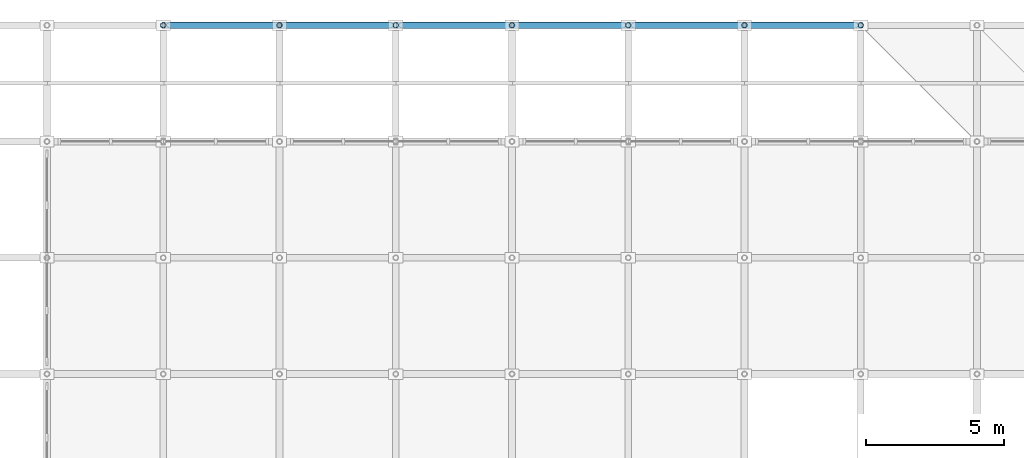
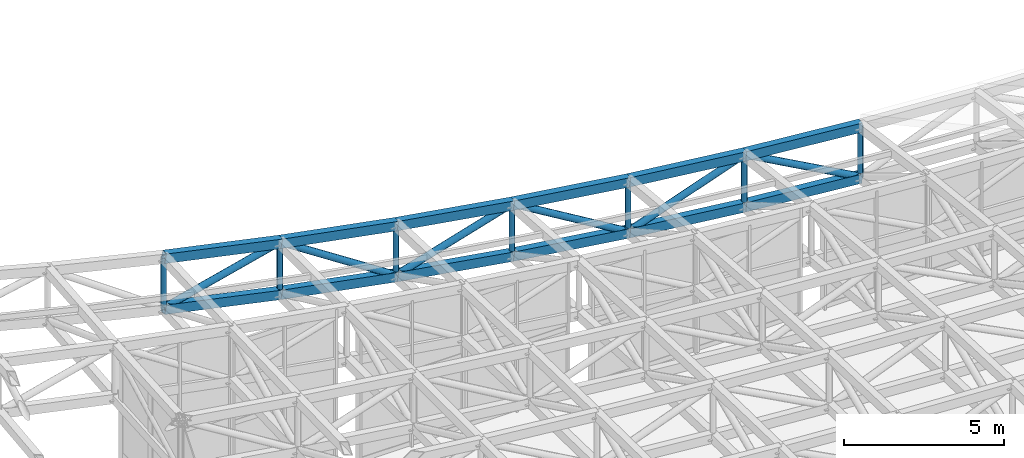
# One storey, part 37 of 111: 25 members.
"""IFC4 building model written with IfcOpenShell, lengths in metres."""

from ifc_helpers import new_model, si_unit, direction, frame, origin, origin_2d, place, context, subcontext, project, spatial, hollow_rectangle, hollow_circle, extrude, material, material_profile, profile_set, type_object, element, save


model = new_model("IFC4")

# Units and contexts
model_context = context("Model", 3, precision=1e-05, world=origin(), true_north=direction((0.0, 1.0)))
body_context = subcontext(model_context, "Body", "Model", "MODEL_VIEW")
ifc_project = project(units=[si_unit("LENGTHUNIT", "METRE"), si_unit("AREAUNIT", "SQUARE_METRE"), si_unit("VOLUMEUNIT", "CUBIC_METRE"), si_unit("PLANEANGLEUNIT", "RADIAN"), si_unit("MASSUNIT", "GRAM", prefix="KILO")], contexts=[model_context])

# Site, building, storey
site_placement = place(None, origin())
site = spatial("IfcSite", under=ifc_project, at=site_placement, CompositionType="ELEMENT")
building_placement = place(site_placement, origin())
building = spatial("IfcBuilding", under=site, at=building_placement, Name="Cumbredor Promenade Congress Hotel", CompositionType="ELEMENT")
storey_placement = place(building_placement, frame((0.0, 0.0, 15.1201171875)))
storey = spatial("IfcBuildingStorey", under=building, at=storey_placement, Name="L04", CompositionType="ELEMENT", Elevation=15.1201171875)

# Members
ifc_material = material(Name="Steel ASTM A500 Grade C", Category="steel")
ifc_material_profile_1 = material_profile(ifc_material, hollow_rectangle(XDim=0.25, YDim=0.35009765625, WallThickness=0.01611328125, at=origin_2d()), Name="HSS 350x250x16")
ifc_profile_set_1 = profile_set([ifc_material_profile_1], Name="Steel ASTM A500 Grade C")
member_type_1 = type_object("IfcMemberType", Name="Forum Roof Truss Chord", PredefinedType="CHORD", material=ifc_profile_set_1)
member_1_placement = place(storey_placement, frame((96.60009765625, 121.800048828125, 6.923828125), z_axis=(0.977922876624, 0.0, -0.208966139305), x_axis=(0.0, 1.0, 0.0)))
element("IfcMember", 1, at=member_1_placement, inside=storey, type_object=member_type_1, Name="Pre-Function and Breakout Meeting Forum X Top Chord 3.11", PredefinedType="CHORD", context=body_context, shape_type="SweptSolid", body=[
    extrude(hollow_rectangle(XDim=0.25, YDim=0.35009765625, WallThickness=0.01611328125, at=origin_2d()), origin(), (0.0, 0.0, 1.0), 4.294677734375),
])
member_2_placement = place(storey_placement, frame((96.60009765625, 121.800048828125, 4.973876953125), z_axis=(0.9779112586, 0.0, -0.209020502114), x_axis=(0.0, 1.0, 0.0)))
element("IfcMember", 2, at=member_2_placement, inside=storey, type_object=member_type_1, Name="Pre-Function and Breakout Meeting Forum X Bottom Chord 3.11", PredefinedType="CHORD", context=body_context, shape_type="SweptSolid", body=[
    extrude(hollow_rectangle(XDim=0.25, YDim=0.35009765625, WallThickness=0.01611328125, at=origin_2d()), origin(), (0.0, 0.0, 1.0), 4.294921875),
])
member_3_placement = place(storey_placement, frame((100.800048828125, 121.800048828125, 6.0263671875), z_axis=(0.982660082825, 0.0, -0.185416184901), x_axis=(0.0, 1.0, 0.0)))
element("IfcMember", 3, at=member_3_placement, inside=storey, type_object=member_type_1, Name="Pre-Function and Breakout Meeting Forum X Top Chord 4.11", PredefinedType="CHORD", context=body_context, shape_type="SweptSolid", body=[
    extrude(hollow_rectangle(XDim=0.25, YDim=0.35009765625, WallThickness=0.01611328125, at=origin_2d()), origin(), (0.0, 0.0, 1.0), 4.274169921875),
])
member_4_placement = place(storey_placement, frame((100.800048828125, 121.800048828125, 4.076171875), z_axis=(0.982670488974, 0.0, -0.185361026375), x_axis=(0.0, 1.0, 0.0)))
element("IfcMember", 4, at=member_4_placement, inside=storey, type_object=member_type_1, Name="Pre-Function and Breakout Meeting Forum X Bottom Chord 4.11", PredefinedType="CHORD", context=body_context, shape_type="SweptSolid", body=[
    extrude(hollow_rectangle(XDim=0.25, YDim=0.35009765625, WallThickness=0.01611328125, at=origin_2d()), origin(), (0.0, 0.0, 1.0), 4.27392578125),
])
for number, where, z_axis, x_axis, name in (
    (5, (105.0, 121.800048828125, 5.23388671875), (0.986884056169, 0.0, -0.161430665236), (0.0, 1.0, 0.0), "Pre-Function and Breakout Meeting Forum X Top Chord 5.11"),
    (6, (105.0, 121.800048828125, 3.283935546875), (0.986884056169, 0.0, -0.161430665236), (0.0, 1.0, 0.0), "Pre-Function and Breakout Meeting Forum X Bottom Chord 5.11"),
):
    element("IfcMember", number, at=place(storey_placement, frame(where, z_axis=z_axis, x_axis=x_axis)), inside=storey, type_object=member_type_1, Name=name, PredefinedType="CHORD", context=body_context, shape_type="SweptSolid", body=[
        extrude(hollow_rectangle(XDim=0.25, YDim=0.35009765625, WallThickness=0.01611328125, at=origin_2d()), origin(), (0.0, 0.0, 1.0), 4.255859375),
    ])
for number, where, z_axis, x_axis, name in (
    (7, (109.199951171875, 121.800048828125, 4.546875), (0.990557326963, 0.0, -0.137099168488), (0.0, 1.0, 0.0), "Pre-Function and Breakout Meeting Forum X Top Chord 6.11"),
    (8, (109.199951171875, 121.800048828125, 2.596923828125), (0.990557326963, 0.0, -0.137099168488), (0.0, 1.0, 0.0), "Pre-Function and Breakout Meeting Forum X Bottom Chord 6.11"),
):
    element("IfcMember", number, at=place(storey_placement, frame(where, z_axis=z_axis, x_axis=x_axis)), inside=storey, type_object=member_type_1, Name=name, PredefinedType="CHORD", context=body_context, shape_type="SweptSolid", body=[
        extrude(hollow_rectangle(XDim=0.25, YDim=0.35009765625, WallThickness=0.01611328125, at=origin_2d()), origin(), (0.0, 0.0, 1.0), 4.239990234375),
    ])
for number, where, z_axis, x_axis, name in (
    (9, (113.39990234375, 121.800048828125, 3.965576171875), (0.993644073338, 0.0, -0.112567559808), (0.0, 1.0, 0.0), "Pre-Function and Breakout Meeting Forum X Top Chord 7.11"),
    (10, (113.39990234375, 121.800048828125, 2.015625), (0.993644073338, 0.0, -0.112567559808), (0.0, 1.0, 0.0), "Pre-Function and Breakout Meeting Forum X Bottom Chord 7.11"),
):
    element("IfcMember", number, at=place(storey_placement, frame(where, z_axis=z_axis, x_axis=x_axis)), inside=storey, type_object=member_type_1, Name=name, PredefinedType="CHORD", context=body_context, shape_type="SweptSolid", body=[
        extrude(hollow_rectangle(XDim=0.25, YDim=0.35009765625, WallThickness=0.01611328125, at=origin_2d()), origin(), (0.0, 0.0, 1.0), 4.22705078125),
    ])
for number, where, z_axis, x_axis, name in (
    (11, (117.60009765625, 121.800048828125, 3.48974609375), (0.996134471083, 0.0, -0.087841422579), (0.0, 1.0, 0.0), "Pre-Function and Breakout Meeting Forum X Top Chord 8.11"),
    (12, (117.60009765625, 121.800048828125, 1.539794921875), (0.996134471083, 0.0, -0.087841422579), (0.0, 1.0, 0.0), "Pre-Function and Breakout Meeting Forum X Bottom Chord 8.11"),
):
    element("IfcMember", number, at=place(storey_placement, frame(where, z_axis=z_axis, x_axis=x_axis)), inside=storey, type_object=member_type_1, Name=name, PredefinedType="CHORD", context=body_context, shape_type="SweptSolid", body=[
        extrude(hollow_rectangle(XDim=0.25, YDim=0.35009765625, WallThickness=0.01611328125, at=origin_2d()), origin(), (0.0, 0.0, 1.0), 4.21630859375),
    ])
ifc_material_profile_2 = material_profile(ifc_material, hollow_circle(Radius=0.122314453125, WallThickness=0.012451171875, at=origin_2d()), Name="CHS 244.5x12.5")
ifc_profile_set_2 = profile_set([ifc_material_profile_2], Name="Steel ASTM A500 Grade C")
member_type_2 = type_object("IfcMemberType", Name="Space Frame Web Diagonal D2", PredefinedType="BRACE", material=ifc_profile_set_2)
member_5_placement = place(storey_placement, frame((96.60009765625, 121.800048828125, 4.973876953125), z_axis=(0.970006358163, 0.0, 0.243079544849), x_axis=(0.0, 1.0, 0.0)))
element("IfcMember", 13, at=member_5_placement, inside=storey, type_object=member_type_2, Name="Pre-Function and Breakout Meeting Forum X Web Diagonal 3.11", PredefinedType="BRACE", context=body_context, shape_type="SweptSolid", body=[
    extrude(hollow_circle(Radius=0.122314453125, WallThickness=0.012451171875, at=origin_2d()), origin(), (0.0, 0.0, 1.0), 4.329833984375),
])
member_6_placement = place(storey_placement, frame((100.800048828125, 121.800048828125, 6.0263671875), z_axis=(0.837306427751, 0.0, -0.546733889608), x_axis=(0.0, 1.0, 0.0)))
element("IfcMember", 14, at=member_6_placement, inside=storey, type_object=member_type_2, Name="Pre-Function and Breakout Meeting Forum X Web Diagonal 4.11", PredefinedType="BRACE", context=body_context, shape_type="SweptSolid", body=[
    extrude(hollow_circle(Radius=0.122314453125, WallThickness=0.012451171875, at=origin_2d()), origin(), (0.0, 0.0, 1.0), 5.01611328125),
])
member_7_placement = place(storey_placement, frame((105.0, 121.800048828125, 3.283935546875), z_axis=(0.957640699197, 0.0, 0.287965781372), x_axis=(0.0, 1.0, 0.0)))
element("IfcMember", 15, at=member_7_placement, inside=storey, type_object=member_type_2, Name="Pre-Function and Breakout Meeting Forum X Web Diagonal 5.11", PredefinedType="BRACE", context=body_context, shape_type="SweptSolid", body=[
    extrude(hollow_circle(Radius=0.122314453125, WallThickness=0.012451171875, at=origin_2d()), origin(), (0.0, 0.0, 1.0), 4.3857421875),
])
member_8_placement = place(storey_placement, frame((109.199951171875, 121.800048828125, 4.546875), z_axis=(0.856476492594, 0.0, -0.516186030065), x_axis=(0.0, 1.0, 0.0)))
element("IfcMember", 16, at=member_8_placement, inside=storey, type_object=member_type_2, Name="Pre-Function and Breakout Meeting Forum X Web Diagonal 6.11", PredefinedType="BRACE", context=body_context, shape_type="SweptSolid", body=[
    extrude(hollow_circle(Radius=0.122314453125, WallThickness=0.012451171875, at=origin_2d()), origin(), (0.0, 0.0, 1.0), 4.90380859375),
])
member_9_placement = place(storey_placement, frame((113.39990234375, 121.800048828125, 2.015625), z_axis=(0.943574126838, 0.0, 0.331161391412), x_axis=(0.0, 1.0, 0.0)))
element("IfcMember", 17, at=member_9_placement, inside=storey, type_object=member_type_2, Name="Pre-Function and Breakout Meeting Forum X Web Diagonal 7.11", PredefinedType="BRACE", context=body_context, shape_type="SweptSolid", body=[
    extrude(hollow_circle(Radius=0.122314453125, WallThickness=0.012451171875, at=origin_2d()), origin(), (0.0, 0.0, 1.0), 4.451416015625),
])
member_10_placement = place(storey_placement, frame((117.60009765625, 121.800048828125, 3.48974609375), z_axis=(0.875304447621, 0.0, -0.483572253107), x_axis=(0.0, 1.0, 0.0)))
element("IfcMember", 18, at=member_10_placement, inside=storey, type_object=member_type_2, Name="Pre-Function and Breakout Meeting Forum X Web Diagonal 8.11", PredefinedType="BRACE", context=body_context, shape_type="SweptSolid", body=[
    extrude(hollow_circle(Radius=0.122314453125, WallThickness=0.012451171875, at=origin_2d()), origin(), (0.0, 0.0, 1.0), 4.79833984375),
])
ifc_material_profile_3 = material_profile(ifc_material, hollow_circle(Radius=0.096923828125, WallThickness=0.010009765625, at=origin_2d()), Name="CHS 193.7x10")
ifc_profile_set_3 = profile_set([ifc_material_profile_3], Name="Steel ASTM A500 Grade C")
member_type_3 = type_object("IfcMemberType", Name="Space Frame Web Post P1", PredefinedType="BRACE", material=ifc_profile_set_3)
member_11_placement = place(storey_placement, frame((96.60009765625, 121.800048828125, 4.973876953125), z_axis=(0.0, 0.0, 1.0), x_axis=(1.0, 0.0, 0.0)))
element("IfcMember", 19, at=member_11_placement, inside=storey, type_object=member_type_3, Name="Pre-Function and Breakout Meeting Forum Space Frame Web Post 3.11", PredefinedType="BRACE", context=body_context, shape_type="SweptSolid", body=[
    extrude(hollow_circle(Radius=0.096923828125, WallThickness=0.010009765625, at=origin_2d()), origin(), (0.0, 0.0, 1.0), 1.949951171875),
])
member_12_placement = place(storey_placement, frame((100.800048828125, 121.800048828125, 4.076171875), z_axis=(0.0, 0.0, 1.0), x_axis=(1.0, 0.0, 0.0)))
element("IfcMember", 20, at=member_12_placement, inside=storey, type_object=member_type_3, Name="Pre-Function and Breakout Meeting Forum Space Frame Web Post 4.11", PredefinedType="BRACE", context=body_context, shape_type="SweptSolid", body=[
    extrude(hollow_circle(Radius=0.096923828125, WallThickness=0.010009765625, at=origin_2d()), origin(), (0.0, 0.0, 1.0), 1.9501953125),
])
for number, where, z_axis, x_axis, name in (
    (21, (105.0, 121.800048828125, 3.283935546875), (0.0, 0.0, 1.0), (1.0, 0.0, 0.0), "Pre-Function and Breakout Meeting Forum Space Frame Web Post 5.11"),
    (22, (109.199951171875, 121.800048828125, 2.596923828125), (0.0, 0.0, 1.0), (1.0, 0.0, 0.0), "Pre-Function and Breakout Meeting Forum Space Frame Web Post 6.11"),
    (23, (113.39990234375, 121.800048828125, 2.015625), (0.0, 0.0, 1.0), (1.0, 0.0, 0.0), "Pre-Function and Breakout Meeting Forum Space Frame Web Post 7.11"),
    (24, (117.60009765625, 121.800048828125, 1.539794921875), (0.0, 0.0, 1.0), (1.0, 0.0, 0.0), "Pre-Function and Breakout Meeting Forum Space Frame Web Post 8.11"),
    (25, (121.800048828125, 121.800048828125, 1.16943359375), (0.0, 0.0, 1.0), (1.0, 0.0, 0.0), "Pre-Function and Breakout Meeting Forum Space Frame Web Post 9.11"),
):
    element("IfcMember", number, at=place(storey_placement, frame(where, z_axis=z_axis, x_axis=x_axis)), inside=storey, type_object=member_type_3, Name=name, PredefinedType="BRACE", context=body_context, shape_type="SweptSolid", body=[
        extrude(hollow_circle(Radius=0.096923828125, WallThickness=0.010009765625, at=origin_2d()), origin(), (0.0, 0.0, 1.0), 1.949951171875),
    ])

save(model, "model.ifc")
